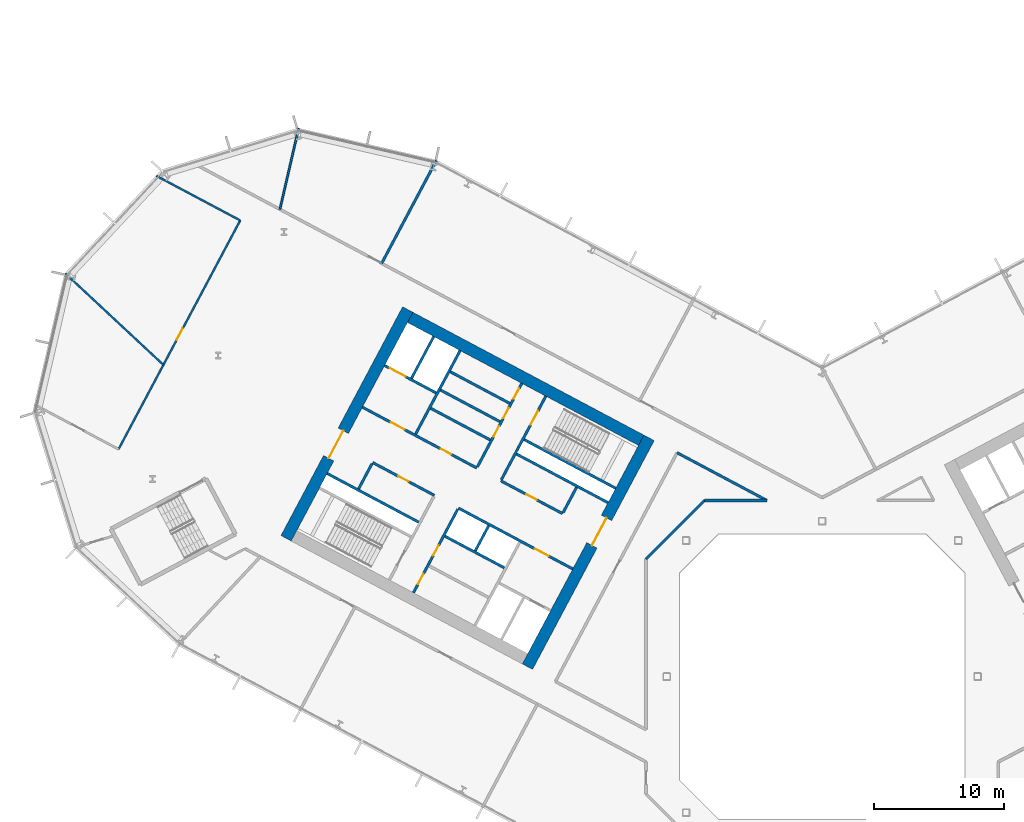
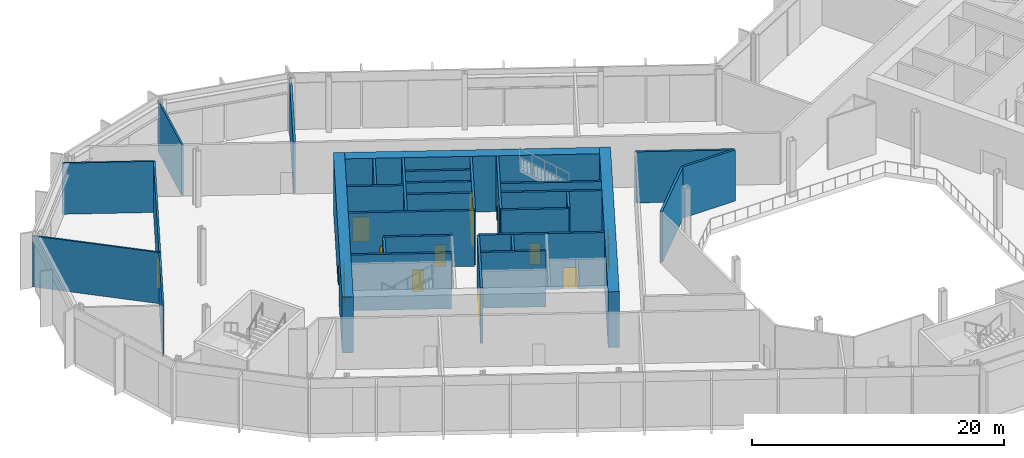
# One storey, part 13 of 31: 31 walls, 15 doors, 15 openings.
"""IFC4 building model written with IfcOpenShell, lengths in metres."""

from ifc_helpers import new_model, si_unit, direction, frame, frame_2d, origin, place, context, subcontext, project, spatial, rectangle, extrude, material, layer, layer_set, type_object, element, fill, save


model = new_model("IFC4")

# Units and contexts
model_context = context("Model", 3, precision=1e-05, world=origin(), true_north=direction((0.0, 1.0)))
body_context = subcontext(model_context, "Body", "Model", "MODEL_VIEW")
ifc_project = project(units=[si_unit("LENGTHUNIT", "METRE"), si_unit("AREAUNIT", "SQUARE_METRE"), si_unit("VOLUMEUNIT", "CUBIC_METRE"), si_unit("PLANEANGLEUNIT", "RADIAN"), si_unit("MASSUNIT", "GRAM", prefix="KILO")], contexts=[model_context])

# Site, building, storey
site_placement = place(None, origin())
site = spatial("IfcSite", under=ifc_project, at=site_placement, CompositionType="ELEMENT")
building_placement = place(site_placement, origin())
building = spatial("IfcBuilding", under=site, at=building_placement, Name="Cormorant Relay Tower", CompositionType="ELEMENT")
storey_placement = place(building_placement, frame((0.0, 0.0, 33.800048828125)))
storey = spatial("IfcBuildingStorey", under=building, at=storey_placement, Name="L06", CompositionType="ELEMENT", Elevation=33.800048828125)

# Walls
ifc_material_1 = material(Name="Concrete 40 MPa", Category="concrete")
ifc_layer_1 = layer(ifc_material_1, 0.199951171875)
ifc_layer_set_1 = layer_set([ifc_layer_1], Name="Core internal wall 200")
wall_type_1 = type_object("IfcWallType", Name="Core internal wall 200", PredefinedType="SOLIDWALL", material=ifc_layer_set_1)
wall_1_placement = place(storey_placement, frame((-25.744140625, 11.64990234375, 0.0), z_axis=(0.0, 0.0, 1.0), x_axis=(-0.469487830541, -0.882938942948, 0.0)))
element("IfcWall", 1, at=wall_1_placement, inside=storey, type_object=wall_type_1, Name="L06 core A shaft and room wall", PredefinedType="SOLIDWALL", context=body_context, shape_type="SweptSolid", body=[
    extrude(rectangle(XDim=2.2001953125, YDim=0.199951171875, at=frame_2d((1.10009765625, 0.0))), origin(), (0.0, 0.0, 1.0), 5.39990234375),
])
for number, where, z_axis, x_axis, name in (
    (2, (-24.120849609375, 21.093017578125, 0.0), (0.0, 0.0, 1.0), (-0.882953967957, 0.469459572775, 0.0), "L06 core A shaft and room wall"),
    (3, (-24.8720703125, 19.680419921875, 0.0), (0.0, 0.0, 1.0), (-0.882953967957, 0.469459572775, 0.0), "L06 core A shaft and room wall"),
):
    element("IfcWall", number, at=place(storey_placement, frame(where, z_axis=z_axis, x_axis=x_axis)), inside=storey, type_object=wall_type_1, Name=name, PredefinedType="SOLIDWALL", context=body_context, shape_type="SweptSolid", body=[
        extrude(rectangle(XDim=5.199951171875, YDim=0.199951171875, at=frame_2d((2.60009765625, 0.0))), origin(), (0.0, 0.0, 1.0), 5.39990234375),
    ])
ifc_material_2 = material(Name="Concrete 50 MPa", Category="concrete")
ifc_layer_2 = layer(ifc_material_2, 0.199951171875)
ifc_layer_set_2 = layer_set([ifc_layer_2], Name="Core shaft wall 200")
wall_type_2 = type_object("IfcWallType", Name="Core shaft wall 200", PredefinedType="SHEAR", material=ifc_layer_set_2)
wall_2_placement = place(storey_placement, frame((-18.959716796875, 14.611328125, 0.0), z_axis=(0.0, 0.0, 1.0), x_axis=(-0.4694473164, -0.882960484464, 0.0)))
element("IfcWall", 4, at=wall_2_placement, inside=storey, type_object=wall_type_2, Name="L06 core A shaft wall", PredefinedType="SHEAR", context=body_context, shape_type="SweptSolid", body=[
    extrude(rectangle(XDim=2.199951171875, YDim=0.199951171875, at=frame_2d((1.10009765625, 0.0))), origin(), (0.0, 0.0, 1.0), 5.39990234375),
])

# Wall, opening, door
wall_3_placement = place(storey_placement, frame((-21.333251953125, 21.6494140625, 0.0), z_axis=(0.0, 0.0, 1.0), x_axis=(-0.469494272526, -0.882935517501, 0.0)))
wall_3 = element("IfcWall", 5, at=wall_3_placement, inside=storey, type_object=wall_type_2, Name="L06 core A shaft wall", PredefinedType="SHEAR", context=body_context, shape_type="SweptSolid", body=[
    extrude(rectangle(XDim=7.2998046875, YDim=0.199951171875, at=frame_2d((3.64990234375, 0.0))), origin(), (0.0, 0.0, 1.0), 5.39990234375),
])
opening_1_placement = place(wall_3_placement, frame((1.300048828125, 0.0, 0.0)))
opening_1 = element("IfcOpeningElement", 6, at=opening_1_placement, cuts=wall_3, Name="Opening CDB-019", PredefinedType="OPENING", context=body_context, shape_type="SweptSolid", body=[
    extrude(rectangle(XDim=1.199951171875, YDim=2.10009765625, at=frame_2d((0.60009765625, 1.050048828125))), frame((0.0, 0.10986328125, 0.0), z_axis=(0.0, -1.0, 0.0), x_axis=(1.0, 0.0, 0.0)), (0.0, 0.0, 1.0), 0.219970703125),
])
ifc_material_3 = material(Name="Steel fire door", Category="steel")
door_type_1 = type_object("IfcDoorType", Name="Core stair door 1200x2100", OperationType="SINGLE_SWING_LEFT", PredefinedType="DOOR", material=ifc_material_3)
door_1_placement = place(opening_1_placement, origin())
door_1 = element("IfcDoor", 7, at=door_1_placement, inside=storey, type_object=door_type_1, Name="Core stair door 1200x2100", OperationType="SINGLE_SWING_RIGHT", OverallHeight=2.10009765625, OverallWidth=1.199951171875, PredefinedType="DOOR", context=body_context, shape_type="SweptSolid", body=[
    extrude(rectangle(XDim=1.199951171875, YDim=2.10009765625, at=frame_2d((0.60009765625, 1.050048828125))), frame((0.0, 0.02490234375, 0.0), z_axis=(0.0, -1.0, 0.0), x_axis=(1.0, 0.0, 0.0)), (0.0, 0.0, 1.0), 0.050048828125),
])
fill(opening_1, door_1)

# Wall, openings, doors
wall_4_placement = place(storey_placement, frame((-28.128173828125, 12.91748046875, 0.0), z_axis=(0.0, 0.0, 1.0), x_axis=(-0.469454336211, -0.882956752176, 0.0)))
wall_4 = element("IfcWall", 8, at=wall_4_placement, inside=storey, type_object=wall_type_2, Name="L06 core A shaft wall", PredefinedType="SHEAR", context=body_context, shape_type="SweptSolid", body=[
    extrude(rectangle(XDim=7.300048828125, YDim=0.199951171875, at=frame_2d((3.64990234375, 0.0))), origin(), (0.0, 0.0, 1.0), 5.39990234375),
])
opening_2_placement = place(wall_4_placement, frame((3.14990234375, 0.0, 0.0)))
opening_2 = element("IfcOpeningElement", 9, at=opening_2_placement, cuts=wall_4, Name="Opening CDD-084", PredefinedType="OPENING", context=body_context, shape_type="SweptSolid", body=[
    extrude(rectangle(XDim=0.89990234375, YDim=2.10009765625, at=frame_2d((0.449951171875, 1.050048828125))), frame((0.0, 0.10986328125, 0.0), z_axis=(0.0, -1.0, 0.0), x_axis=(1.0, 0.0, 0.0)), (0.0, 0.0, 1.0), 0.219970703125),
])
opening_3_placement = place(wall_4_placement, frame((5.64990234375, 0.0, 0.0)))
opening_3 = element("IfcOpeningElement", 10, at=opening_3_placement, cuts=wall_4, Name="Opening CDD-085", PredefinedType="OPENING", context=body_context, shape_type="SweptSolid", body=[
    extrude(rectangle(XDim=0.89990234375, YDim=2.10009765625, at=frame_2d((0.449951171875, 1.050048828125))), frame((0.0, 0.10986328125, 0.0), z_axis=(0.0, -1.0, 0.0), x_axis=(1.0, 0.0, 0.0)), (0.0, 0.0, 1.0), 0.219970703125),
])
ifc_material_4 = material(Name="Steel fire door", Category="steel")
door_type_2 = type_object("IfcDoorType", Name="Core room door 900x2100", OperationType="SINGLE_SWING_LEFT", PredefinedType="DOOR", material=ifc_material_4)
door_2_placement = place(opening_2_placement, origin())
door_2 = element("IfcDoor", 11, at=door_2_placement, inside=storey, type_object=door_type_2, Name="Core room door 900x2100", OperationType="SINGLE_SWING_LEFT", OverallHeight=2.10009765625, OverallWidth=0.89990234375, PredefinedType="DOOR", context=body_context, shape_type="SweptSolid", body=[
    extrude(rectangle(XDim=0.89990234375, YDim=2.10009765625, at=frame_2d((0.449951171875, 1.050048828125))), frame((0.0, 0.02490234375, 0.0), z_axis=(0.0, -1.0, 0.0), x_axis=(1.0, 0.0, 0.0)), (0.0, 0.0, 1.0), 0.050048828125),
])
fill(opening_2, door_2)
door_3_placement = place(opening_3_placement, origin())
door_3 = element("IfcDoor", 12, at=door_3_placement, inside=storey, type_object=door_type_2, Name="Core room door 900x2100", OperationType="SINGLE_SWING_LEFT", OverallHeight=2.10009765625, OverallWidth=0.89990234375, PredefinedType="DOOR", context=body_context, shape_type="SweptSolid", body=[
    extrude(rectangle(XDim=0.89990234375, YDim=2.10009765625, at=frame_2d((0.449951171875, 1.050048828125))), frame((0.0, 0.02490234375, 0.0), z_axis=(0.0, -1.0, 0.0), x_axis=(1.0, 0.0, 0.0)), (0.0, 0.0, 1.0), 0.050048828125),
])
fill(opening_3, door_3)

wall_5_placement = place(storey_placement, frame((-23.1875, 22.635498046875, 0.0), z_axis=(0.0, 0.0, 1.0), x_axis=(-0.469454336211, -0.882956752176, 0.0)))
wall_5 = element("IfcWall", 13, at=wall_5_placement, inside=storey, type_object=wall_type_2, Name="L06 core A shaft wall", PredefinedType="SHEAR", context=body_context, shape_type="SweptSolid", body=[
    extrude(rectangle(XDim=7.300048828125, YDim=0.199951171875, at=frame_2d((3.64990234375, 0.0))), origin(), (0.0, 0.0, 1.0), 5.39990234375),
])
opening_4_placement = place(wall_5_placement, frame((0.449951171875, 0.0, 0.0)))
opening_4 = element("IfcOpeningElement", 14, at=opening_4_placement, cuts=wall_5, Name="Opening CDD-086", PredefinedType="OPENING", context=body_context, shape_type="SweptSolid", body=[
    extrude(rectangle(XDim=0.89990234375, YDim=2.10009765625, at=frame_2d((0.449951171875, 1.050048828125))), frame((0.0, 0.10986328125, 0.0), z_axis=(0.0, -1.0, 0.0), x_axis=(1.0, 0.0, 0.0)), (0.0, 0.0, 1.0), 0.219970703125),
])
opening_5_placement = place(wall_5_placement, frame((2.14990234375, 0.0, 0.0)))
opening_5 = element("IfcOpeningElement", 15, at=opening_5_placement, cuts=wall_5, Name="Opening CDD-087", PredefinedType="OPENING", context=body_context, shape_type="SweptSolid", body=[
    extrude(rectangle(XDim=0.89990234375, YDim=2.10009765625, at=frame_2d((0.449951171875, 1.050048828125))), frame((0.0, 0.10986328125, 0.0), z_axis=(0.0, -1.0, 0.0), x_axis=(1.0, 0.0, 0.0)), (0.0, 0.0, 1.0), 0.219970703125),
])
opening_6_placement = place(wall_5_placement, frame((3.75, 0.0, 0.0)))
opening_6 = element("IfcOpeningElement", 16, at=opening_6_placement, cuts=wall_5, Name="Opening CDD-088", PredefinedType="OPENING", context=body_context, shape_type="SweptSolid", body=[
    extrude(rectangle(XDim=0.89990234375, YDim=2.10009765625, at=frame_2d((0.449951171875, 1.050048828125))), frame((0.0, 0.10986328125, 0.0), z_axis=(0.0, -1.0, 0.0), x_axis=(1.0, 0.0, 0.0)), (0.0, 0.0, 1.0), 0.219970703125),
])
door_4_placement = place(opening_4_placement, origin())
door_4 = element("IfcDoor", 17, at=door_4_placement, inside=storey, type_object=door_type_2, Name="Core room door 900x2100", OperationType="SINGLE_SWING_LEFT", OverallHeight=2.10009765625, OverallWidth=0.89990234375, PredefinedType="DOOR", context=body_context, shape_type="SweptSolid", body=[
    extrude(rectangle(XDim=0.89990234375, YDim=2.10009765625, at=frame_2d((0.449951171875, 1.050048828125))), frame((0.0, 0.02490234375, 0.0), z_axis=(0.0, -1.0, 0.0), x_axis=(1.0, 0.0, 0.0)), (0.0, 0.0, 1.0), 0.050048828125),
])
fill(opening_4, door_4)
door_5_placement = place(opening_5_placement, origin())
door_5 = element("IfcDoor", 18, at=door_5_placement, inside=storey, type_object=door_type_2, Name="Core room door 900x2100", OperationType="SINGLE_SWING_LEFT", OverallHeight=2.10009765625, OverallWidth=0.89990234375, PredefinedType="DOOR", context=body_context, shape_type="SweptSolid", body=[
    extrude(rectangle(XDim=0.89990234375, YDim=2.10009765625, at=frame_2d((0.449951171875, 1.050048828125))), frame((0.0, 0.02490234375, 0.0), z_axis=(0.0, -1.0, 0.0), x_axis=(1.0, 0.0, 0.0)), (0.0, 0.0, 1.0), 0.050048828125),
])
fill(opening_5, door_5)
door_6_placement = place(opening_6_placement, origin())
door_6 = element("IfcDoor", 19, at=door_6_placement, inside=storey, type_object=door_type_2, Name="Core room door 900x2100", OperationType="SINGLE_SWING_LEFT", OverallHeight=2.10009765625, OverallWidth=0.89990234375, PredefinedType="DOOR", context=body_context, shape_type="SweptSolid", body=[
    extrude(rectangle(XDim=0.89990234375, YDim=2.10009765625, at=frame_2d((0.449951171875, 1.050048828125))), frame((0.0, 0.02490234375, 0.0), z_axis=(0.0, -1.0, 0.0), x_axis=(1.0, 0.0, 0.0)), (0.0, 0.0, 1.0), 0.050048828125),
])
fill(opening_6, door_6)

# Walls
wall_6_placement = place(storey_placement, frame((-27.955322265625, 25.170654296875, 0.0), z_axis=(0.0, 0.0, 1.0), x_axis=(-0.469480409012, -0.88294288918, 0.0)))
element("IfcWall", 20, at=wall_6_placement, inside=storey, type_object=wall_type_2, Name="L06 core A shaft wall", PredefinedType="SHEAR", context=body_context, shape_type="SweptSolid", body=[
    extrude(rectangle(XDim=7.300048828125, YDim=0.199951171875, at=frame_2d((3.64990234375, 0.0))), origin(), (0.0, 0.0, 1.0), 5.39990234375),
])
wall_7_placement = place(storey_placement, frame((-34.750244140625, 16.4384765625, 0.0), z_axis=(0.0, 0.0, 1.0), x_axis=(-0.469401318492, -0.882984938828, 0.0)))
element("IfcWall", 21, at=wall_7_placement, inside=storey, type_object=wall_type_2, Name="L06 core A shaft wall", PredefinedType="SHEAR", context=body_context, shape_type="SweptSolid", body=[
    extrude(rectangle(XDim=2.199951171875, YDim=0.199951171875, at=frame_2d((1.10009765625, 0.0))), origin(), (0.0, 0.0, 1.0), 5.39990234375),
])
wall_8_placement = place(storey_placement, frame((-29.986083984375, 26.250244140625, 0.0), z_axis=(0.0, 0.0, 1.0), x_axis=(-0.469494272526, -0.882935517501, 0.0)))
element("IfcWall", 22, at=wall_8_placement, inside=storey, type_object=wall_type_2, Name="L06 core A shaft wall", PredefinedType="SHEAR", context=body_context, shape_type="SweptSolid", body=[
    extrude(rectangle(XDim=3.64990234375, YDim=0.199951171875, at=frame_2d((1.824951171875, 0.0))), origin(), (0.0, 0.0, 1.0), 5.39990234375),
])
wall_9_placement = place(storey_placement, frame((-15.94189453125, 14.53564453125, 0.0), z_axis=(0.0, 0.0, 1.0), x_axis=(-0.882946947542, 0.469472776449, 0.0)))
element("IfcWall", 23, at=wall_9_placement, inside=storey, type_object=wall_type_2, Name="L06 core A shaft wall", PredefinedType="SHEAR", context=body_context, shape_type="SweptSolid", body=[
    extrude(rectangle(XDim=8.000244140625, YDim=0.199951171875, at=frame_2d((4.0, 0.0))), origin(), (0.0, 0.0, 1.0), 5.39990234375),
])

# Wall, opening, door
wall_10_placement = place(storey_placement, frame((-29.80419921875, 21.906494140625, 0.0), z_axis=(0.0, 0.0, 1.0), x_axis=(-0.882960433586, 0.469447412093, 0.0)))
wall_10 = element("IfcWall", 24, at=wall_10_placement, inside=storey, type_object=wall_type_2, Name="L06 core A shaft wall", PredefinedType="SHEAR", context=body_context, shape_type="SweptSolid", body=[
    extrude(rectangle(XDim=4.5, YDim=0.199951171875, at=frame_2d((2.25, 0.0))), origin(), (0.0, 0.0, 1.0), 5.39990234375),
])
opening_7_placement = place(wall_10_placement, frame((2.64990234375, 0.0, 0.0)))
opening_7 = element("IfcOpeningElement", 25, at=opening_7_placement, cuts=wall_10, Name="Opening LD3-007", PredefinedType="OPENING", context=body_context, shape_type="SweptSolid", body=[
    extrude(rectangle(XDim=1.39990234375, YDim=2.39990234375, at=frame_2d((0.699951171875, 1.199951171875))), frame((0.0, 0.10986328125, 0.0), z_axis=(0.0, -1.0, 0.0), x_axis=(1.0, 0.0, 0.0)), (0.0, 0.0, 1.0), 0.219970703125),
])
ifc_material_5 = material(Name="Stainless steel 316", Category="steel")
door_type_3 = type_object("IfcDoorType", Name="Lift landing door 1400x2400", OperationType="DOUBLE_DOOR_SLIDING", PredefinedType="DOOR", material=ifc_material_5)
door_7_placement = place(opening_7_placement, origin())
door_7 = element("IfcDoor", 26, at=door_7_placement, inside=storey, type_object=door_type_3, Name="SV1 landing door", OperationType="DOUBLE_DOOR_SLIDING", OverallHeight=2.39990234375, OverallWidth=1.39990234375, PredefinedType="DOOR", context=body_context, shape_type="SweptSolid", body=[
    extrude(rectangle(XDim=1.39990234375, YDim=2.39990234375, at=frame_2d((0.699951171875, 1.199951171875))), frame((0.0, 0.02490234375, 0.0), z_axis=(0.0, -1.0, 0.0), x_axis=(1.0, 0.0, 0.0)), (0.0, 0.0, 1.0), 0.050048828125),
])
fill(opening_7, door_7)

# Walls
wall_11_placement = place(storey_placement, frame((-16.52880859375, 13.43212890625, 0.0), z_axis=(0.0, 0.0, 1.0), x_axis=(-0.88295287151, 0.469461634952, 0.0)))
element("IfcWall", 27, at=wall_11_placement, inside=storey, type_object=wall_type_2, Name="L06 core A shaft wall", PredefinedType="SHEAR", context=body_context, shape_type="SweptSolid", body=[
    extrude(rectangle(XDim=7.999755859375, YDim=0.199951171875, at=frame_2d((4.0, 0.0))), origin(), (0.0, 0.0, 1.0), 5.39990234375),
])
wall_12_placement = place(storey_placement, frame((-25.623046875, 18.267578125, 0.0), z_axis=(0.0, 0.0, 1.0), x_axis=(-0.882953967957, 0.469459572775, 0.0)))
element("IfcWall", 28, at=wall_12_placement, inside=storey, type_object=wall_type_2, Name="L06 core A shaft wall", PredefinedType="SHEAR", context=body_context, shape_type="SweptSolid", body=[
    extrude(rectangle(XDim=5.199951171875, YDim=0.199951171875, at=frame_2d((2.60009765625, 0.0))), origin(), (0.0, 0.0, 1.0), 5.39990234375),
])

# Wall, opening, door
wall_13_placement = place(storey_placement, frame((-20.03955078125, 12.58056640625, 0.0), z_axis=(0.0, 0.0, 1.0), x_axis=(-0.882942972946, 0.469480251476, 0.0)))
wall_13 = element("IfcWall", 29, at=wall_13_placement, inside=storey, type_object=wall_type_2, Name="L06 core A shaft wall", PredefinedType="SHEAR", context=body_context, shape_type="SweptSolid", body=[
    extrude(rectangle(XDim=5.39990234375, YDim=0.199951171875, at=frame_2d((2.699951171875, 0.0))), origin(), (0.0, 0.0, 1.0), 5.39990234375),
])
opening_8_placement = place(wall_13_placement, frame((2.25, 0.0, 0.0)))
opening_8 = element("IfcOpeningElement", 30, at=opening_8_placement, cuts=wall_13, Name="Opening CDD-082", PredefinedType="OPENING", context=body_context, shape_type="SweptSolid", body=[
    extrude(rectangle(XDim=0.89990234375, YDim=2.10009765625, at=frame_2d((0.449951171875, 1.050048828125))), frame((0.0, 0.10986328125, 0.0), z_axis=(0.0, -1.0, 0.0), x_axis=(1.0, 0.0, 0.0)), (0.0, 0.0, 1.0), 0.219970703125),
])
door_8_placement = place(opening_8_placement, frame((0.89990234375, 0.0, 0.0), z_axis=(0.0, 0.0, 1.0), x_axis=(-1.0, 0.0, 0.0)))
door_8 = element("IfcDoor", 31, at=door_8_placement, inside=storey, type_object=door_type_2, Name="Core room door 900x2100", OperationType="SINGLE_SWING_RIGHT", OverallHeight=2.10009765625, OverallWidth=0.89990234375, PredefinedType="DOOR", context=body_context, shape_type="SweptSolid", body=[
    extrude(rectangle(XDim=0.89990234375, YDim=2.10009765625, at=frame_2d((0.449951171875, 1.050048828125))), frame((0.0, 0.02490234375, 0.0), z_axis=(0.0, -1.0, 0.0), x_axis=(1.0, 0.0, 0.0)), (0.0, 0.0, 1.0), 0.050048828125),
])
fill(opening_8, door_8)

# Wall, openings, doors
wall_14_placement = place(storey_placement, frame((-26.66162109375, 16.1015625, 0.0), z_axis=(0.0, 0.0, 1.0), x_axis=(-0.882940221191, 0.469485426614, 0.0)))
wall_14 = element("IfcWall", 32, at=wall_14_placement, inside=storey, type_object=wall_type_2, Name="L06 core A shaft wall", PredefinedType="SHEAR", context=body_context, shape_type="SweptSolid", body=[
    extrude(rectangle(XDim=10.0, YDim=0.199951171875, at=frame_2d((5.0, 0.0))), origin(), (0.0, 0.0, 1.0), 5.39990234375),
])
opening_9_placement = place(wall_14_placement, frame((6.300048828125, 0.0, 0.0)))
opening_9 = element("IfcOpeningElement", 33, at=opening_9_placement, cuts=wall_14, Name="Opening CDC-014", PredefinedType="OPENING", context=body_context, shape_type="SweptSolid", body=[
    extrude(rectangle(XDim=1.199951171875, YDim=2.10009765625, at=frame_2d((0.60009765625, 1.050048828125))), frame((0.0, 0.10986328125, 0.0), z_axis=(0.0, -1.0, 0.0), x_axis=(1.0, 0.0, 0.0)), (0.0, 0.0, 1.0), 0.219970703125),
])
opening_10_placement = place(wall_14_placement, frame((2.25, 0.0, 0.0)))
opening_10 = element("IfcOpeningElement", 34, at=opening_10_placement, cuts=wall_14, Name="Opening CDD-083", PredefinedType="OPENING", context=body_context, shape_type="SweptSolid", body=[
    extrude(rectangle(XDim=0.89990234375, YDim=2.10009765625, at=frame_2d((0.449951171875, 1.050048828125))), frame((0.0, 0.10986328125, 0.0), z_axis=(0.0, -1.0, 0.0), x_axis=(1.0, 0.0, 0.0)), (0.0, 0.0, 1.0), 0.219970703125),
])
ifc_material_6 = material(Name="Steel fire door", Category="steel")
door_type_4 = type_object("IfcDoorType", Name="Core lobby door 1200x2100", OperationType="SINGLE_SWING_LEFT", PredefinedType="DOOR", material=ifc_material_6)
door_9_placement = place(opening_9_placement, origin())
door_9 = element("IfcDoor", 35, at=door_9_placement, inside=storey, type_object=door_type_4, Name="Core lobby door 1200x2100", OperationType="SINGLE_SWING_LEFT", OverallHeight=2.10009765625, OverallWidth=1.199951171875, PredefinedType="DOOR", context=body_context, shape_type="SweptSolid", body=[
    extrude(rectangle(XDim=1.199951171875, YDim=2.10009765625, at=frame_2d((0.60009765625, 1.050048828125))), frame((0.0, 0.02490234375, 0.0), z_axis=(0.0, -1.0, 0.0), x_axis=(1.0, 0.0, 0.0)), (0.0, 0.0, 1.0), 0.050048828125),
])
fill(opening_9, door_9)
door_10_placement = place(opening_10_placement, origin())
door_10 = element("IfcDoor", 36, at=door_10_placement, inside=storey, type_object=door_type_2, Name="Core room door 900x2100", OperationType="SINGLE_SWING_LEFT", OverallHeight=2.10009765625, OverallWidth=0.89990234375, PredefinedType="DOOR", context=body_context, shape_type="SweptSolid", body=[
    extrude(rectangle(XDim=0.89990234375, YDim=2.10009765625, at=frame_2d((0.449951171875, 1.050048828125))), frame((0.0, 0.02490234375, 0.0), z_axis=(0.0, -1.0, 0.0), x_axis=(1.0, 0.0, 0.0)), (0.0, 0.0, 1.0), 0.050048828125),
])
fill(opening_10, door_10)

# Wall, opening, door
wall_15_placement = place(storey_placement, frame((-19.251708984375, 8.31103515625, 0.0), z_axis=(0.0, 0.0, 1.0), x_axis=(-0.882955722218, 0.469456273365, 0.0)))
wall_15 = element("IfcWall", 37, at=wall_15_placement, inside=storey, type_object=wall_type_2, Name="L06 core A shaft wall", PredefinedType="SHEAR", context=body_context, shape_type="SweptSolid", body=[
    extrude(rectangle(XDim=10.0, YDim=0.199951171875, at=frame_2d((5.0, 0.0))), origin(), (0.0, 0.0, 1.0), 5.39990234375),
])
opening_11_placement = place(wall_15_placement, frame((2.10009765625, 0.0, 0.0)))
opening_11 = element("IfcOpeningElement", 38, at=opening_11_placement, cuts=wall_15, Name="Opening CDC-013", PredefinedType="OPENING", context=body_context, shape_type="SweptSolid", body=[
    extrude(rectangle(XDim=1.199951171875, YDim=2.10009765625, at=frame_2d((0.60009765625, 1.050048828125))), frame((0.0, 0.10986328125, 0.0), z_axis=(0.0, -1.0, 0.0), x_axis=(1.0, 0.0, 0.0)), (0.0, 0.0, 1.0), 0.219970703125),
])
door_11_placement = place(opening_11_placement, origin())
door_11 = element("IfcDoor", 39, at=door_11_placement, inside=storey, type_object=door_type_4, Name="Core lobby door 1200x2100", OperationType="SINGLE_SWING_RIGHT", OverallHeight=2.10009765625, OverallWidth=1.199951171875, PredefinedType="DOOR", context=body_context, shape_type="SweptSolid", body=[
    extrude(rectangle(XDim=1.199951171875, YDim=2.10009765625, at=frame_2d((0.60009765625, 1.050048828125))), frame((0.0, 0.02490234375, 0.0), z_axis=(0.0, -1.0, 0.0), x_axis=(1.0, 0.0, 0.0)), (0.0, 0.0, 1.0), 0.050048828125),
])
fill(opening_11, door_11)

wall_16_placement = place(storey_placement, frame((-29.935302734375, 13.991455078125, 0.0), z_axis=(0.0, 0.0, 1.0), x_axis=(-0.882952937579, 0.469461510692, 0.0)))
wall_16 = element("IfcWall", 40, at=wall_16_placement, inside=storey, type_object=wall_type_2, Name="L06 core A shaft wall", PredefinedType="SHEAR", context=body_context, shape_type="SweptSolid", body=[
    extrude(rectangle(XDim=5.400146484375, YDim=0.199951171875, at=frame_2d((2.7001953125, 0.0))), origin(), (0.0, 0.0, 1.0), 5.39990234375),
])
opening_12_placement = place(wall_16_placement, frame((2.25, 0.0, 0.0)))
opening_12 = element("IfcOpeningElement", 41, at=opening_12_placement, cuts=wall_16, Name="Opening CDD-081", PredefinedType="OPENING", context=body_context, shape_type="SweptSolid", body=[
    extrude(rectangle(XDim=0.89990234375, YDim=2.10009765625, at=frame_2d((0.449951171875, 1.050048828125))), frame((0.0, 0.10986328125, 0.0), z_axis=(0.0, -1.0, 0.0), x_axis=(1.0, 0.0, 0.0)), (0.0, 0.0, 1.0), 0.219970703125),
])
door_12_placement = place(opening_12_placement, origin())
door_12 = element("IfcDoor", 42, at=door_12_placement, inside=storey, type_object=door_type_2, Name="Core room door 900x2100", OperationType="SINGLE_SWING_LEFT", OverallHeight=2.10009765625, OverallWidth=0.89990234375, PredefinedType="DOOR", context=body_context, shape_type="SweptSolid", body=[
    extrude(rectangle(XDim=0.89990234375, YDim=2.10009765625, at=frame_2d((0.449951171875, 1.050048828125))), frame((0.0, 0.02490234375, 0.0), z_axis=(0.0, -1.0, 0.0), x_axis=(1.0, 0.0, 0.0)), (0.0, 0.0, 1.0), 0.050048828125),
])
fill(opening_12, door_12)

# Walls
wall_17_placement = place(storey_placement, frame((-24.5283203125, 8.3984375, 0.0), z_axis=(0.0, 0.0, 1.0), x_axis=(-0.882953967957, 0.469459572775, 0.0)))
element("IfcWall", 43, at=wall_17_placement, inside=storey, type_object=wall_type_2, Name="L06 core A shaft wall", PredefinedType="SHEAR", context=body_context, shape_type="SweptSolid", body=[
    extrude(rectangle(XDim=5.199951171875, YDim=0.199951171875, at=frame_2d((2.60009765625, 0.0))), origin(), (0.0, 0.0, 1.0), 5.39990234375),
])
wall_18_placement = place(storey_placement, frame((-31.150390625, 11.91943359375, 0.0), z_axis=(0.0, 0.0, 1.0), x_axis=(-0.882940221191, 0.469485426614, 0.0)))
element("IfcWall", 44, at=wall_18_placement, inside=storey, type_object=wall_type_2, Name="L06 core A shaft wall", PredefinedType="SHEAR", context=body_context, shape_type="SweptSolid", body=[
    extrude(rectangle(XDim=8.0, YDim=0.199951171875, at=frame_2d((4.0, 0.0))), origin(), (0.0, 0.0, 1.0), 5.39990234375),
])

# Wall, opening, door
ifc_material_7 = material(Name="Concrete 70 MPa", Category="concrete")
ifc_layer_3 = layer(ifc_material_7, 0.89990234375)
ifc_layer_set_3 = layer_set([ifc_layer_3], Name="Core wall 900")
wall_type_3 = type_object("IfcWallType", Name="Core wall 900", PredefinedType="SHEAR", material=ifc_layer_set_3)
wall_19_placement = place(storey_placement, frame((-13.361572265625, 18.43017578125, 0.0), z_axis=(0.0, 0.0, 1.0), x_axis=(-0.46947084998, -0.882947971864, 0.0)))
wall_19 = element("IfcWall", 45, at=wall_19_placement, inside=storey, type_object=wall_type_3, Name="L06 core A wall", PredefinedType="SHEAR", context=body_context, shape_type="SweptSolid", body=[
    extrude(rectangle(XDim=20.0, YDim=0.89990234375, at=frame_2d((10.0, 0.0))), origin(), (0.0, 0.0, 1.0), 5.39990234375),
])
opening_13_placement = place(wall_19_placement, frame((7.0, 0.0, 0.0)))
opening_13 = element("IfcOpeningElement", 46, at=opening_13_placement, cuts=wall_19, Name="Opening CDA-013", PredefinedType="OPENING", context=body_context, shape_type="SweptSolid", body=[
    extrude(rectangle(XDim=2.39990234375, YDim=2.39990234375, at=frame_2d((1.199951171875, 1.199951171875))), frame((0.0, 0.4599609375, 0.0), z_axis=(0.0, -1.0, 0.0), x_axis=(1.0, 0.0, 0.0)), (0.0, 0.0, 1.0), 0.919921875),
])
ifc_material_8 = material(Name="Steel fire door", Category="steel")
door_type_5 = type_object("IfcDoorType", Name="Core lobby door 2400x2400", OperationType="DOUBLE_DOOR_SINGLE_SWING", PredefinedType="DOOR", material=ifc_material_8)
door_13_placement = place(opening_13_placement, frame((2.39990234375, 0.0, 0.0), z_axis=(0.0, 0.0, 1.0), x_axis=(-1.0, 0.0, 0.0)))
door_13 = element("IfcDoor", 47, at=door_13_placement, inside=storey, type_object=door_type_5, Name="Core lobby door 2400x2400", OperationType="DOUBLE_DOOR_SINGLE_SWING", OverallHeight=2.39990234375, OverallWidth=2.39990234375, PredefinedType="DOOR", context=body_context, shape_type="SweptSolid", body=[
    extrude(rectangle(XDim=2.39990234375, YDim=2.39990234375, at=frame_2d((1.199951171875, 1.199951171875))), frame((0.0, 0.02490234375, 0.0), z_axis=(0.0, -1.0, 0.0), x_axis=(1.0, 0.0, 0.0)), (0.0, 0.0, 1.0), 0.050048828125),
])
fill(opening_13, door_13)

wall_20_placement = place(storey_placement, frame((-31.99169921875, 28.3359375, 0.0), z_axis=(0.0, 0.0, 1.0), x_axis=(-0.46947084998, -0.882947971864, 0.0)))
wall_20 = element("IfcWall", 48, at=wall_20_placement, inside=storey, type_object=wall_type_3, Name="L06 core A wall", PredefinedType="SHEAR", context=body_context, shape_type="SweptSolid", body=[
    extrude(rectangle(XDim=20.0, YDim=0.89990234375, at=frame_2d((10.0, 0.0))), origin(), (0.0, 0.0, 1.0), 5.39990234375),
])
opening_14_placement = place(wall_20_placement, frame((10.60009765625, 0.0, 0.0)))
opening_14 = element("IfcOpeningElement", 49, at=opening_14_placement, cuts=wall_20, Name="Opening CDA-014", PredefinedType="OPENING", context=body_context, shape_type="SweptSolid", body=[
    extrude(rectangle(XDim=2.39990234375, YDim=2.39990234375, at=frame_2d((1.199951171875, 1.199951171875))), frame((0.0, 0.4599609375, 0.0), z_axis=(0.0, -1.0, 0.0), x_axis=(1.0, 0.0, 0.0)), (0.0, 0.0, 1.0), 0.919921875),
])
door_14_placement = place(opening_14_placement, origin())
door_14 = element("IfcDoor", 50, at=door_14_placement, inside=storey, type_object=door_type_5, Name="Core lobby door 2400x2400", OperationType="DOUBLE_DOOR_SINGLE_SWING", OverallHeight=2.39990234375, OverallWidth=2.39990234375, PredefinedType="DOOR", context=body_context, shape_type="SweptSolid", body=[
    extrude(rectangle(XDim=2.39990234375, YDim=2.39990234375, at=frame_2d((1.199951171875, 1.199951171875))), frame((0.0, 0.02490234375, 0.0), z_axis=(0.0, -1.0, 0.0), x_axis=(1.0, 0.0, 0.0)), (0.0, 0.0, 1.0), 0.050048828125),
])
fill(opening_14, door_14)

# Walls
wall_21_placement = place(storey_placement, frame((-13.97021484375, 18.244140625, 0.0), z_axis=(0.0, 0.0, 1.0), x_axis=(-0.88294509198, 0.469476266226, 0.0)))
element("IfcWall", 51, at=wall_21_placement, inside=storey, type_object=wall_type_3, Name="L06 core A wall", PredefinedType="SHEAR", context=body_context, shape_type="SweptSolid", body=[
    extrude(rectangle(XDim=20.199951171875, YDim=0.89990234375, at=frame_2d((10.10009765625, 0.0))), origin(), (0.0, 0.0, 1.0), 5.39990234375),
])
ifc_material_9 = material(Name="Fire-rated gypsum board partition")
ifc_layer_4 = layer(ifc_material_9, 0.199951171875)
ifc_layer_set_4 = layer_set([ifc_layer_4], Name="Fire-rated gypsum partition 200")
wall_type_4 = type_object("IfcWallType", Name="Fire-rated gypsum partition 200", PredefinedType="PARTITIONING", material=ifc_layer_set_4)
wall_22_placement = place(storey_placement, frame((-29.779052734375, 39.845947265625, 0.0), z_axis=(0.0, 0.0, 1.0), x_axis=(-0.469470416571, -0.882948202311, 0.0)))
element("IfcWall", 52, at=wall_22_placement, inside=storey, type_object=wall_type_4, Name="wall/L06/part/13", PredefinedType="PARTITIONING", context=body_context, shape_type="SweptSolid", body=[
    extrude(rectangle(XDim=9.00390625, YDim=0.199951171875, at=frame_2d((4.501953125, 0.0))), origin(), (0.0, 0.0, 1.0), 4.949951171875),
])
wall_23_placement = place(storey_placement, frame((-11.198974609375, 17.282958984375, 0.0), z_axis=(0.0, 0.0, 1.0), x_axis=(0.88292918263, -0.469506185754, 0.0)))
element("IfcWall", 53, at=wall_23_placement, inside=storey, type_object=wall_type_4, Name="wall/L06/part/57", PredefinedType="PARTITIONING", context=body_context, shape_type="SweptSolid", body=[
    extrude(rectangle(XDim=7.848876953125, YDim=0.199951171875, at=frame_2d((3.92431640625, 0.0))), origin(), (0.0, 0.0, 1.0), 4.949951171875),
])
wall_24_placement = place(storey_placement, frame((-4.26904296875, 13.597900390625, 0.0), z_axis=(0.0, 0.0, 1.0), x_axis=(-1.0, 0.0, 0.0)))
element("IfcWall", 54, at=wall_24_placement, inside=storey, type_object=wall_type_4, Name="wall/L06/part/58", PredefinedType="PARTITIONING", context=body_context, shape_type="SweptSolid", body=[
    extrude(rectangle(XDim=4.806884765625, YDim=0.199951171875, at=frame_2d((2.4033203125, 0.0))), origin(), (0.0, 0.0, 1.0), 4.949951171875),
])
wall_25_placement = place(storey_placement, frame((-9.075927734375, 13.597900390625, 0.0), z_axis=(0.0, 0.0, 1.0), x_axis=(-0.707106781187, -0.707106781187, 0.0)))
element("IfcWall", 55, at=wall_25_placement, inside=storey, type_object=wall_type_4, Name="wall/L06/part/59", PredefinedType="PARTITIONING", context=body_context, shape_type="SweptSolid", body=[
    extrude(rectangle(XDim=6.39501953125, YDim=0.199951171875, at=frame_2d((3.197509765625, 0.0))), origin(), (0.0, 0.0, 1.0), 4.949951171875),
])

# Wall, opening, door
ifc_material_10 = material(Name="Gypsum board partition")
ifc_layer_5 = layer(ifc_material_10, 0.14990234375)
ifc_layer_set_5 = layer_set([ifc_layer_5], Name="Gypsum board partition 150")
wall_type_5 = type_object("IfcWallType", Name="Gypsum board partition 150", PredefinedType="PARTITIONING", material=ifc_layer_set_5)
wall_26_placement = place(storey_placement, frame((-54.31591796875, 17.552001953125, 0.0), z_axis=(0.0, 0.0, 1.0), x_axis=(0.469479992782, 0.882943110499, 0.0)))
wall_26 = element("IfcWall", 56, at=wall_26_placement, inside=storey, type_object=wall_type_5, Name="wall/L06/part/2", PredefinedType="PARTITIONING", context=body_context, shape_type="SweptSolid", body=[
    extrude(rectangle(XDim=20.0048828125, YDim=0.14990234375, at=frame_2d((10.00244140625, 0.0))), origin(), (0.0, 0.0, 1.0), 4.949951171875),
])
opening_15_placement = place(wall_26_placement, frame((9.550048828125, 0.0, 0.0)))
opening_15 = element("IfcOpeningElement", 57, at=opening_15_placement, cuts=wall_26, Name="Opening D1-015", PredefinedType="OPENING", context=body_context, shape_type="SweptSolid", body=[
    extrude(rectangle(XDim=1.0, YDim=2.10009765625, at=frame_2d((0.5, 1.050048828125))), frame((0.0, 0.0849609375, 0.0), z_axis=(0.0, -1.0, 0.0), x_axis=(1.0, 0.0, 0.0)), (0.0, 0.0, 1.0), 0.169921875),
])
ifc_material_11 = material(Name="Painted steel door", Category="steel")
door_type_6 = type_object("IfcDoorType", Name="Single door 1000 x 2100", OperationType="SINGLE_SWING_LEFT", PredefinedType="DOOR", material=ifc_material_11)
door_15_placement = place(opening_15_placement, origin())
door_15 = element("IfcDoor", 58, at=door_15_placement, inside=storey, type_object=door_type_6, Name="door/L06/1", OperationType="SINGLE_SWING_RIGHT", OverallHeight=2.10009765625, OverallWidth=1.0, PredefinedType="DOOR", context=body_context, shape_type="SweptSolid", body=[
    extrude(rectangle(XDim=1.0, YDim=2.10009765625, at=frame_2d((0.5, 1.050048828125))), frame((0.0, 0.02490234375, 0.0), z_axis=(0.0, -1.0, 0.0), x_axis=(1.0, 0.0, 0.0)), (0.0, 0.0, 1.0), 0.050048828125),
])
fill(opening_15, door_15)

# Walls
wall_27_placement = place(storey_placement, frame((-44.924072265625, 35.215087890625, 0.0), z_axis=(0.0, 0.0, 1.0), x_axis=(-0.883017799447, 0.469339499574, 0.0)))
element("IfcWall", 59, at=wall_27_placement, inside=storey, type_object=wall_type_5, Name="wall/L06/part/3", PredefinedType="PARTITIONING", context=body_context, shape_type="SweptSolid", body=[
    extrude(rectangle(XDim=7.329345703125, YDim=0.14990234375, at=frame_2d((3.66455078125, 0.0))), origin(), (0.0, 0.0, 1.0), 4.949951171875),
])
wall_28_placement = place(storey_placement, frame((-58.427001953125, 31.125, 0.0), z_axis=(0.0, 0.0, 1.0), x_axis=(0.731440901907, -0.681904837216, 0.0)))
element("IfcWall", 60, at=wall_28_placement, inside=storey, type_object=wall_type_5, Name="wall/L06/part/4", PredefinedType="PARTITIONING", context=body_context, shape_type="SweptSolid", body=[
    extrude(rectangle(XDim=10.35498046875, YDim=0.14990234375, at=frame_2d((5.177490234375, 0.0))), origin(), (0.0, 0.0, 1.0), 4.949951171875),
])
wall_29_placement = place(storey_placement, frame((-41.860107421875, 36.072998046875, 0.0), z_axis=(0.0, 0.0, 1.0), x_axis=(0.224965272242, 0.974366782215, 0.0)))
element("IfcWall", 61, at=wall_29_placement, inside=storey, type_object=wall_type_5, Name="wall/L06/part/14", PredefinedType="PARTITIONING", context=body_context, shape_type="SweptSolid", body=[
    extrude(rectangle(XDim=6.40625, YDim=0.14990234375, at=frame_2d((3.203125, 0.0))), origin(), (0.0, 0.0, 1.0), 4.949951171875),
])

save(model, "model.ifc")
